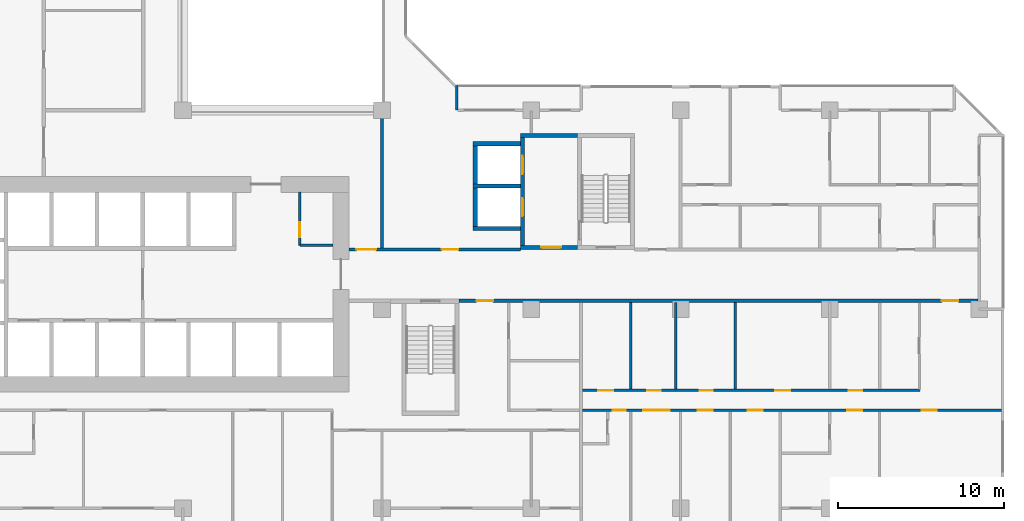
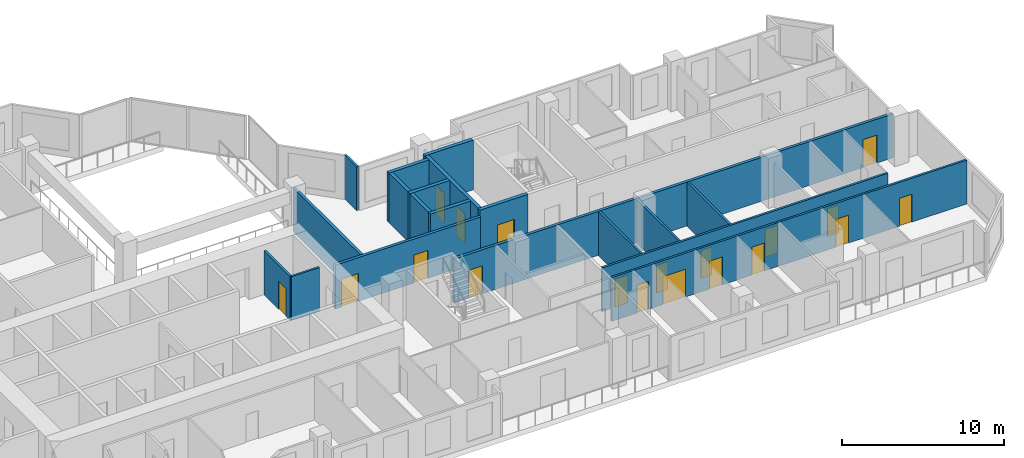
# One storey, part 7 of 15: 19 doors, 19 walls, 19 openings.
"""IFC4 building model written with IfcOpenShell, lengths in metres."""

from ifc_helpers import new_model, si_unit, direction, frame, frame_2d, origin, place, context, subcontext, project, spatial, rectangle, extrude, material, layer, layer_set, type_object, element, fill, save


model = new_model("IFC4")

# Units and contexts
model_context = context("Model", 3, precision=1e-05, world=origin(), true_north=direction((0.0, 1.0)))
body_context = subcontext(model_context, "Body", "Model", "MODEL_VIEW")
ifc_project = project(units=[si_unit("LENGTHUNIT", "METRE"), si_unit("AREAUNIT", "SQUARE_METRE"), si_unit("VOLUMEUNIT", "CUBIC_METRE"), si_unit("PLANEANGLEUNIT", "RADIAN"), si_unit("MASSUNIT", "GRAM", prefix="KILO")], contexts=[model_context])

# Site, building, storey
site_placement = place(None, origin())
site = spatial("IfcSite", under=ifc_project, at=site_placement, CompositionType="ELEMENT")
building_placement = place(site_placement, origin())
building = spatial("IfcBuilding", under=site, at=building_placement, Name="Chenar Terraces", CompositionType="ELEMENT")
storey_placement = place(building_placement, frame((0.0, 0.0, 136.89990234375)))
storey = spatial("IfcBuildingStorey", under=building, at=storey_placement, Name="L32", CompositionType="ELEMENT", Elevation=136.89990234375)

# Wall, opening, door
ifc_material_1 = material(Name="Gypsum board on steel studs", Category="steel")
ifc_layer_1 = layer(ifc_material_1, 0.14990234375)
ifc_layer_set_1 = layer_set([ifc_layer_1], Name="Gypsum board on steel studs")
wall_type_1 = type_object("IfcWallType", Name="Core partition 150 gypsum board", PredefinedType="PARTITIONING", material=ifc_layer_set_1)
wall_1_placement = place(storey_placement, frame((31.050048828125, 15.85009765625, 0.0), z_axis=(0.0, 0.0, 1.0), x_axis=(0.0, 1.0, 0.0)))
wall_1 = element("IfcWall", 1, at=wall_1_placement, inside=storey, type_object=wall_type_1, Name="Core partition CP1 vestibule room west wall", PredefinedType="PARTITIONING", context=body_context, shape_type="SweptSolid", body=[
    extrude(rectangle(XDim=3.199951171875, YDim=0.14990234375, at=frame_2d((1.60009765625, 0.0))), origin(), (0.0, 0.0, 1.0), 3.300048828125),
])
opening_1_placement = place(wall_1_placement, frame((0.5, 0.0, 0.0)))
opening_1 = element("IfcOpeningElement", 2, at=opening_1_placement, cuts=wall_1, Name="Opening DL32-C13", PredefinedType="OPENING", context=body_context, shape_type="SweptSolid", body=[
    extrude(rectangle(XDim=0.89990234375, YDim=2.10009765625, at=frame_2d((0.449951171875, 1.050048828125))), frame((0.0, 0.0849609375, 0.0), z_axis=(0.0, -1.0, 0.0), x_axis=(1.0, 0.0, 0.0)), (0.0, 0.0, 1.0), 0.169921875),
])
ifc_material_2 = material(Name="Steel-framed fire-resisting door leaf", Category="steel")
door_type_1 = type_object("IfcDoorType", Name="Riser fire door FD60 900 x 2100", OperationType="SINGLE_SWING_LEFT", PredefinedType="DOOR", material=ifc_material_2)
door_1_placement = place(opening_1_placement, frame((0.89990234375, 0.0, 0.0), z_axis=(0.0, 0.0, 1.0), x_axis=(-1.0, 0.0, 0.0)))
door_1 = element("IfcDoor", 3, at=door_1_placement, inside=storey, type_object=door_type_1, Name="Core room door DL32-C13", OperationType="SINGLE_SWING_RIGHT", OverallHeight=2.10009765625, OverallWidth=0.89990234375, PredefinedType="DOOR", context=body_context, shape_type="SweptSolid", body=[
    extrude(rectangle(XDim=0.89990234375, YDim=2.10009765625, at=frame_2d((0.449951171875, 1.050048828125))), frame((0.0, 0.02490234375, 0.0), z_axis=(0.0, -1.0, 0.0), x_axis=(1.0, 0.0, 0.0)), (0.0, 0.0, 1.0), 0.050048828125),
])
fill(opening_1, door_1)

# Wall
wall_2_placement = place(storey_placement, frame((31.050048828125, 15.85009765625, 0.0), z_axis=(0.0, 0.0, 1.0), x_axis=(1.0, 0.0, 0.0)))
element("IfcWall", 4, at=wall_2_placement, inside=storey, type_object=wall_type_1, Name="Core partition CP1 vestibule room south wall", PredefinedType="PARTITIONING", context=body_context, shape_type="SweptSolid", body=[
    extrude(rectangle(XDim=2.0, YDim=0.14990234375, at=frame_2d((1.0, 0.0))), origin(), (0.0, 0.0, 1.0), 3.300048828125),
])

# Wall, opening, door
ifc_material_3 = material(Name="Concrete C70/85", Category="concrete")
ifc_layer_2 = layer(ifc_material_3, 0.25)
ifc_layer_set_2 = layer_set([ifc_layer_2], Name="Concrete C70/85")
wall_type_2 = type_object("IfcWallType", Name="Core wall 250 Concrete C70/85", PredefinedType="SHEAR", material=ifc_layer_set_2)
wall_3_placement = place(storey_placement, frame((44.35009765625, 15.72509765625, 0.0), z_axis=(0.0, 0.0, 1.0), x_axis=(1.0, 0.0, 0.0)))
wall_3 = element("IfcWall", 5, at=wall_3_placement, inside=storey, type_object=wall_type_2, Name="Core wall F3_LS L32", PredefinedType="SHEAR", context=body_context, shape_type="SweptSolid", body=[
    extrude(rectangle(XDim=3.4248046875, YDim=0.25, at=frame_2d((1.71240234375, 0.0))), origin(), (0.0, 0.0, 1.0), 3.75),
])
opening_2_placement = place(wall_3_placement, frame((1.25, 0.0, 0.0)))
opening_2 = element("IfcOpeningElement", 6, at=opening_2_placement, cuts=wall_3, Name="Opening DL32-C10", PredefinedType="OPENING", context=body_context, shape_type="SweptSolid", body=[
    extrude(rectangle(XDim=1.199951171875, YDim=2.199951171875, at=frame_2d((0.60009765625, 1.10009765625))), frame((0.0, 0.135009765625, 0.0), z_axis=(0.0, -1.0, 0.0), x_axis=(1.0, 0.0, 0.0)), (0.0, 0.0, 1.0), 0.27001953125),
])
ifc_material_4 = material(Name="Steel-framed fire-resisting door leaf", Category="steel")
door_type_2 = type_object("IfcDoorType", Name="Lobby fire door FD60 1200 x 2200", OperationType="SINGLE_SWING_LEFT", PredefinedType="DOOR", material=ifc_material_4)
door_2_placement = place(opening_2_placement, origin())
door_2 = element("IfcDoor", 7, at=door_2_placement, inside=storey, type_object=door_type_2, Name="Core door DL32-C10", OperationType="SINGLE_SWING_RIGHT", OverallHeight=2.199951171875, OverallWidth=1.199951171875, PredefinedType="DOOR", context=body_context, shape_type="SweptSolid", body=[
    extrude(rectangle(XDim=1.199951171875, YDim=2.199951171875, at=frame_2d((0.60009765625, 1.10009765625))), frame((0.0, 0.02490234375, 0.0), z_axis=(0.0, -1.0, 0.0), x_axis=(1.0, 0.0, 0.0)), (0.0, 0.0, 1.0), 0.050048828125),
])
fill(opening_2, door_2)

# Wall
wall_4_placement = place(storey_placement, frame((44.35009765625, 22.47509765625, 0.0), z_axis=(0.0, 0.0, 1.0), x_axis=(1.0, 0.0, 0.0)))
element("IfcWall", 8, at=wall_4_placement, inside=storey, type_object=wall_type_2, Name="Core wall F3_LN L32", PredefinedType="SHEAR", context=body_context, shape_type="SweptSolid", body=[
    extrude(rectangle(XDim=3.4248046875, YDim=0.25, at=frame_2d((1.71240234375, 0.0))), origin(), (0.0, 0.0, 1.0), 3.75),
])

# Wall, openings, doors
wall_5_placement = place(storey_placement, frame((44.47509765625, 15.85009765625, 0.0), z_axis=(0.0, 0.0, 1.0), x_axis=(0.0, 1.0, 0.0)))
wall_5 = element("IfcWall", 9, at=wall_5_placement, inside=storey, type_object=wall_type_2, Name="Core wall F3_LW L32", PredefinedType="SHEAR", context=body_context, shape_type="SweptSolid", body=[
    extrude(rectangle(XDim=6.5, YDim=0.25, at=frame_2d((3.25, 0.0))), origin(), (0.0, 0.0, 1.0), 3.75),
])
opening_3_placement = place(wall_5_placement, frame((1.75, 0.0, 0.0)))
opening_3 = element("IfcOpeningElement", 10, at=opening_3_placement, cuts=wall_5, Name="Opening DL32-LD8", PredefinedType="OPENING", context=body_context, shape_type="SweptSolid", body=[
    extrude(rectangle(XDim=1.10009765625, YDim=2.199951171875, at=frame_2d((0.550048828125, 1.10009765625))), frame((0.0, 0.135009765625, 0.0), z_axis=(0.0, -1.0, 0.0), x_axis=(1.0, 0.0, 0.0)), (0.0, 0.0, 1.0), 0.27001953125),
])
opening_4_placement = place(wall_5_placement, frame((4.300048828125, 0.0, 0.0)))
opening_4 = element("IfcOpeningElement", 11, at=opening_4_placement, cuts=wall_5, Name="Opening DL32-LD9", PredefinedType="OPENING", context=body_context, shape_type="SweptSolid", body=[
    extrude(rectangle(XDim=1.10009765625, YDim=2.199951171875, at=frame_2d((0.550048828125, 1.10009765625))), frame((0.0, 0.135009765625, 0.0), z_axis=(0.0, -1.0, 0.0), x_axis=(1.0, 0.0, 0.0)), (0.0, 0.0, 1.0), 0.27001953125),
])
ifc_material_5 = material(Name="Stainless steel", Category="steel")
door_type_3 = type_object("IfcDoorType", Name="Lift landing door 1100 x 2200 sliding", OperationType="DOUBLE_DOOR_SLIDING", PredefinedType="DOOR", material=ifc_material_5)
door_3_placement = place(opening_3_placement, origin())
door_3 = element("IfcDoor", 12, at=door_3_placement, inside=storey, type_object=door_type_3, Name="Landing door F3", OperationType="DOUBLE_DOOR_SLIDING", OverallHeight=2.199951171875, OverallWidth=1.10009765625, PredefinedType="DOOR", context=body_context, shape_type="SweptSolid", body=[
    extrude(rectangle(XDim=1.10009765625, YDim=2.199951171875, at=frame_2d((0.550048828125, 1.10009765625))), frame((0.0, 0.02490234375, 0.0), z_axis=(0.0, -1.0, 0.0), x_axis=(1.0, 0.0, 0.0)), (0.0, 0.0, 1.0), 0.050048828125),
])
fill(opening_3, door_3)
door_4_placement = place(opening_4_placement, origin())
door_4 = element("IfcDoor", 13, at=door_4_placement, inside=storey, type_object=door_type_3, Name="Landing door F4", OperationType="DOUBLE_DOOR_SLIDING", OverallHeight=2.199951171875, OverallWidth=1.10009765625, PredefinedType="DOOR", context=body_context, shape_type="SweptSolid", body=[
    extrude(rectangle(XDim=1.10009765625, YDim=2.199951171875, at=frame_2d((0.550048828125, 1.10009765625))), frame((0.0, 0.02490234375, 0.0), z_axis=(0.0, -1.0, 0.0), x_axis=(1.0, 0.0, 0.0)), (0.0, 0.0, 1.0), 0.050048828125),
])
fill(opening_4, door_4)

# Walls
for number, where, z_axis, x_axis, name in (
    (14, (41.5, 16.875, 0.0), (0.0, 0.0, 1.0), (1.0, 0.0, 0.0), "Core wall F3_SS L32"),
    (15, (41.5, 19.425048828125, 0.0), (0.0, 0.0, 1.0), (1.0, 0.0, 0.0), "Core wall F3_SM L32"),
    (16, (41.5, 21.97509765625, 0.0), (0.0, 0.0, 1.0), (1.0, 0.0, 0.0), "Core wall F4_SN L32"),
):
    element("IfcWall", number, at=place(storey_placement, frame(where, z_axis=z_axis, x_axis=x_axis)), inside=storey, type_object=wall_type_2, Name=name, PredefinedType="SHEAR", context=body_context, shape_type="SweptSolid", body=[
        extrude(rectangle(XDim=2.85009765625, YDim=0.25, at=frame_2d((1.425048828125, 0.0))), origin(), (0.0, 0.0, 1.0), 3.75),
    ])
for number, where, z_axis, x_axis, name in (
    (17, (41.625, 17.0, 0.0), (0.0, 0.0, 1.0), (0.0, 1.0, 0.0), "Core wall F3_SW L32"),
    (18, (41.625, 19.550048828125, 0.0), (0.0, 0.0, 1.0), (0.0, 1.0, 0.0), "Core wall F4_SW L32"),
):
    element("IfcWall", number, at=place(storey_placement, frame(where, z_axis=z_axis, x_axis=x_axis)), inside=storey, type_object=wall_type_2, Name=name, PredefinedType="SHEAR", context=body_context, shape_type="SweptSolid", body=[
        extrude(rectangle(XDim=2.300048828125, YDim=0.25, at=frame_2d((1.14990234375, 0.0))), origin(), (0.0, 0.0, 1.0), 3.75),
    ])

# Wall, openings, doors
ifc_material_6 = material(Name="Gypsum board on steel studs with fire boards", Category="steel")
ifc_layer_3 = layer(ifc_material_6, 0.199951171875)
ifc_layer_set_3 = layer_set([ifc_layer_3], Name="Gypsum board on steel studs with fire boards")
wall_type_3 = type_object("IfcWallType", Name="Corridor wall 200", PredefinedType="PARTITIONING", material=ifc_layer_set_3)
wall_6_placement = place(storey_placement, frame((34.0, 15.60009765625, 0.0), z_axis=(0.0, 0.0, 1.0), x_axis=(1.0, 0.0, 0.0)))
wall_6 = element("IfcWall", 19, at=wall_6_placement, inside=storey, type_object=wall_type_3, Name="Partition L32-063", PredefinedType="PARTITIONING", context=body_context, shape_type="SweptSolid", body=[
    extrude(rectangle(XDim=10.35009765625, YDim=0.199951171875, at=frame_2d((5.175048828125, 0.0))), origin(), (0.0, 0.0, 1.0), 3.300048828125),
])
opening_5_placement = place(wall_6_placement, frame((5.60009765625, 0.0, 0.0)))
opening_5 = element("IfcOpeningElement", 20, at=opening_5_placement, cuts=wall_6, Name="Opening DL32-3", PredefinedType="OPENING", context=body_context, shape_type="SweptSolid", body=[
    extrude(rectangle(XDim=1.0, YDim=2.10009765625, at=frame_2d((0.5, 1.050048828125))), frame((0.0, 0.10986328125, 0.0), z_axis=(0.0, -1.0, 0.0), x_axis=(1.0, 0.0, 0.0)), (0.0, 0.0, 1.0), 0.219970703125),
])
opening_6_placement = place(wall_6_placement, frame((0.449951171875, 0.0, 0.0)))
opening_6 = element("IfcOpeningElement", 21, at=opening_6_placement, cuts=wall_6, Name="Opening DL32-50", PredefinedType="OPENING", context=body_context, shape_type="SweptSolid", body=[
    extrude(rectangle(XDim=1.199951171875, YDim=2.10009765625, at=frame_2d((0.60009765625, 1.050048828125))), frame((0.0, 0.10986328125, 0.0), z_axis=(0.0, -1.0, 0.0), x_axis=(1.0, 0.0, 0.0)), (0.0, 0.0, 1.0), 0.219970703125),
])
ifc_material_7 = material(Name="Steel-framed fire-resisting door leaf", Category="steel")
door_type_4 = type_object("IfcDoorType", Name="Fire door FD60 1000 x 2100", OperationType="SINGLE_SWING_LEFT", PredefinedType="DOOR", material=ifc_material_7)
door_5_placement = place(opening_5_placement, origin())
door_5 = element("IfcDoor", 22, at=door_5_placement, inside=storey, type_object=door_type_4, Name="Door DL32-3", OperationType="SINGLE_SWING_RIGHT", OverallHeight=2.10009765625, OverallWidth=1.0, PredefinedType="DOOR", context=body_context, shape_type="SweptSolid", body=[
    extrude(rectangle(XDim=1.0, YDim=2.10009765625, at=frame_2d((0.5, 1.050048828125))), frame((0.0, 0.02490234375, 0.0), z_axis=(0.0, -1.0, 0.0), x_axis=(1.0, 0.0, 0.0)), (0.0, 0.0, 1.0), 0.050048828125),
])
fill(opening_5, door_5)
ifc_material_8 = material(Name="Steel-framed fire-resisting door leaf", Category="steel")
door_type_5 = type_object("IfcDoorType", Name="Fire door FD60 1200 x 2100", OperationType="SINGLE_SWING_LEFT", PredefinedType="DOOR", material=ifc_material_8)
door_6_placement = place(opening_6_placement, origin())
door_6 = element("IfcDoor", 23, at=door_6_placement, inside=storey, type_object=door_type_5, Name="Door DL32-50", OperationType="SINGLE_SWING_RIGHT", OverallHeight=2.10009765625, OverallWidth=1.199951171875, PredefinedType="DOOR", context=body_context, shape_type="SweptSolid", body=[
    extrude(rectangle(XDim=1.199951171875, YDim=2.10009765625, at=frame_2d((0.60009765625, 1.050048828125))), frame((0.0, 0.02490234375, 0.0), z_axis=(0.0, -1.0, 0.0), x_axis=(1.0, 0.0, 0.0)), (0.0, 0.0, 1.0), 0.050048828125),
])
fill(opening_6, door_6)

# Wall
wall_7_placement = place(storey_placement, frame((36.0, 15.699951171875, 0.0), z_axis=(0.0, 0.0, 1.0), x_axis=(0.0, 1.0, 0.0)))
element("IfcWall", 24, at=wall_7_placement, inside=storey, type_object=wall_type_3, Name="Partition L32-065", PredefinedType="PARTITIONING", context=body_context, shape_type="SweptSolid", body=[
    extrude(rectangle(XDim=8.300048828125, YDim=0.199951171875, at=frame_2d((4.14990234375, 0.0))), origin(), (0.0, 0.0, 1.0), 3.300048828125),
])

# Wall, openings, doors
wall_8_placement = place(storey_placement, frame((40.64990234375, 12.5, 0.0), z_axis=(0.0, 0.0, 1.0), x_axis=(1.0, 0.0, 0.0)))
wall_8 = element("IfcWall", 25, at=wall_8_placement, inside=storey, type_object=wall_type_3, Name="Partition L32-066", PredefinedType="PARTITIONING", context=body_context, shape_type="SweptSolid", body=[
    extrude(rectangle(XDim=31.276123046875, YDim=0.199951171875, at=frame_2d((15.63818359375, 0.0))), origin(), (0.0, 0.0, 1.0), 3.300048828125),
])
opening_7_placement = place(wall_8_placement, frame((29.10009765625, 0.0, 0.0)))
opening_7 = element("IfcOpeningElement", 26, at=opening_7_placement, cuts=wall_8, Name="Opening DL32-18", PredefinedType="OPENING", context=body_context, shape_type="SweptSolid", body=[
    extrude(rectangle(XDim=1.0, YDim=2.10009765625, at=frame_2d((0.5, 1.050048828125))), frame((0.0, 0.10986328125, 0.0), z_axis=(0.0, -1.0, 0.0), x_axis=(1.0, 0.0, 0.0)), (0.0, 0.0, 1.0), 0.219970703125),
])
opening_8_placement = place(wall_8_placement, frame((1.050048828125, 0.0, 0.0)))
opening_8 = element("IfcOpeningElement", 27, at=opening_8_placement, cuts=wall_8, Name="Opening DL32-64", PredefinedType="OPENING", context=body_context, shape_type="SweptSolid", body=[
    extrude(rectangle(XDim=1.0, YDim=2.10009765625, at=frame_2d((0.5, 1.050048828125))), frame((0.0, 0.10986328125, 0.0), z_axis=(0.0, -1.0, 0.0), x_axis=(1.0, 0.0, 0.0)), (0.0, 0.0, 1.0), 0.219970703125),
])
ifc_material_9 = material(Name="Steel-framed fire-resisting door leaf", Category="steel")
door_type_6 = type_object("IfcDoorType", Name="Fire door FD30S 1000 x 2100", OperationType="SINGLE_SWING_LEFT", PredefinedType="DOOR", material=ifc_material_9)
door_7_placement = place(opening_7_placement, frame((1.0, 0.0, 0.0), z_axis=(0.0, 0.0, 1.0), x_axis=(-1.0, 0.0, 0.0)))
door_7 = element("IfcDoor", 28, at=door_7_placement, inside=storey, type_object=door_type_6, Name="Door DL32-18", OperationType="SINGLE_SWING_LEFT", OverallHeight=2.10009765625, OverallWidth=1.0, PredefinedType="DOOR", context=body_context, shape_type="SweptSolid", body=[
    extrude(rectangle(XDim=1.0, YDim=2.10009765625, at=frame_2d((0.5, 1.050048828125))), frame((0.0, 0.02490234375, 0.0), z_axis=(0.0, -1.0, 0.0), x_axis=(1.0, 0.0, 0.0)), (0.0, 0.0, 1.0), 0.050048828125),
])
fill(opening_7, door_7)
door_8_placement = place(opening_8_placement, origin())
door_8 = element("IfcDoor", 29, at=door_8_placement, inside=storey, type_object=door_type_6, Name="Door DL32-64", OperationType="SINGLE_SWING_RIGHT", OverallHeight=2.10009765625, OverallWidth=1.0, PredefinedType="DOOR", context=body_context, shape_type="SweptSolid", body=[
    extrude(rectangle(XDim=1.0, YDim=2.10009765625, at=frame_2d((0.5, 1.050048828125))), frame((0.0, 0.02490234375, 0.0), z_axis=(0.0, -1.0, 0.0), x_axis=(1.0, 0.0, 0.0)), (0.0, 0.0, 1.0), 0.050048828125),
])
fill(opening_8, door_8)

# Wall
ifc_material_10 = material(Name="Terracotta cladding on insulated backing", Category="masonry")
ifc_layer_4 = layer(ifc_material_10, 0.14990234375)
ifc_layer_set_4 = layer_set([ifc_layer_4], Name="Terracotta cladding on insulated backing")
wall_type_4 = type_object("IfcWallType", Name="Loggia return wall 150", PredefinedType="SOLIDWALL", material=ifc_layer_set_4)
wall_9_placement = place(storey_placement, frame((40.5, 25.5, 0.0), z_axis=(0.0, 0.0, 1.0), x_axis=(0.0, -1.0, 0.0)))
element("IfcWall", 30, at=wall_9_placement, inside=storey, type_object=wall_type_4, Name="Loggia return wall", PredefinedType="SOLIDWALL", context=body_context, shape_type="SweptSolid", body=[
    extrude(rectangle(XDim=1.5, YDim=0.14990234375, at=frame_2d((0.75, 0.0))), origin(), (0.0, 0.0, 1.0), 3.300048828125),
])

# Wall, openings, doors
ifc_material_11 = material(Name="Moisture-resistant gypsum board on steel studs", Category="steel")
ifc_layer_5 = layer(ifc_material_11, 0.14990234375)
ifc_layer_set_5 = layer_set([ifc_layer_5], Name="Moisture-resistant gypsum board on steel studs")
wall_type_5 = type_object("IfcWallType", Name="Wet-room partition 150", PredefinedType="PARTITIONING", material=ifc_layer_set_5)
wall_10_placement = place(storey_placement, frame((48.10009765625, 5.89990234375, 0.0), z_axis=(0.0, 0.0, 1.0), x_axis=(1.0, 0.0, 0.0)))
wall_10 = element("IfcWall", 31, at=wall_10_placement, inside=storey, type_object=wall_type_5, Name="Partition L32-074", PredefinedType="PARTITIONING", context=body_context, shape_type="SweptSolid", body=[
    extrude(rectangle(XDim=25.25, YDim=0.14990234375, at=frame_2d((12.625, 0.0))), origin(), (0.0, 0.0, 1.0), 3.300048828125),
])
opening_9_placement = place(wall_10_placement, frame((6.949951171875, 0.0, 0.0)))
opening_9 = element("IfcOpeningElement", 32, at=opening_9_placement, cuts=wall_10, Name="Opening DL32-14", PredefinedType="OPENING", context=body_context, shape_type="SweptSolid", body=[
    extrude(rectangle(XDim=0.89990234375, YDim=2.10009765625, at=frame_2d((0.449951171875, 1.050048828125))), frame((0.0, 0.0849609375, 0.0), z_axis=(0.0, -1.0, 0.0), x_axis=(1.0, 0.0, 0.0)), (0.0, 0.0, 1.0), 0.169921875),
])
opening_10_placement = place(wall_10_placement, frame((9.949951171875, 0.0, 0.0)))
opening_10 = element("IfcOpeningElement", 33, at=opening_10_placement, cuts=wall_10, Name="Opening DL32-15", PredefinedType="OPENING", context=body_context, shape_type="SweptSolid", body=[
    extrude(rectangle(XDim=0.89990234375, YDim=2.10009765625, at=frame_2d((0.449951171875, 1.050048828125))), frame((0.0, 0.0849609375, 0.0), z_axis=(0.0, -1.0, 0.0), x_axis=(1.0, 0.0, 0.0)), (0.0, 0.0, 1.0), 0.169921875),
])
opening_11_placement = place(wall_10_placement, frame((15.949951171875, 0.0, 0.0)))
opening_11 = element("IfcOpeningElement", 34, at=opening_11_placement, cuts=wall_10, Name="Opening DL32-16", PredefinedType="OPENING", context=body_context, shape_type="SweptSolid", body=[
    extrude(rectangle(XDim=0.89990234375, YDim=2.10009765625, at=frame_2d((0.449951171875, 1.050048828125))), frame((0.0, 0.0849609375, 0.0), z_axis=(0.0, -1.0, 0.0), x_axis=(1.0, 0.0, 0.0)), (0.0, 0.0, 1.0), 0.169921875),
])
opening_12_placement = place(wall_10_placement, frame((20.449951171875, 0.0, 0.0)))
opening_12 = element("IfcOpeningElement", 35, at=opening_12_placement, cuts=wall_10, Name="Opening DL32-21", PredefinedType="OPENING", context=body_context, shape_type="SweptSolid", body=[
    extrude(rectangle(XDim=0.89990234375, YDim=2.10009765625, at=frame_2d((0.449951171875, 1.050048828125))), frame((0.0, 0.0849609375, 0.0), z_axis=(0.0, -1.0, 0.0), x_axis=(1.0, 0.0, 0.0)), (0.0, 0.0, 1.0), 0.169921875),
])
opening_13_placement = place(wall_10_placement, frame((1.800048828125, 0.0, 0.0)))
opening_13 = element("IfcOpeningElement", 36, at=opening_13_placement, cuts=wall_10, Name="Opening DL32-22", PredefinedType="OPENING", context=body_context, shape_type="SweptSolid", body=[
    extrude(rectangle(XDim=0.800048828125, YDim=2.10009765625, at=frame_2d((0.39990234375, 1.050048828125))), frame((0.0, 0.0849609375, 0.0), z_axis=(0.0, -1.0, 0.0), x_axis=(1.0, 0.0, 0.0)), (0.0, 0.0, 1.0), 0.169921875),
])
opening_14_placement = place(wall_10_placement, frame((3.64990234375, 0.0, 0.0)))
opening_14 = element("IfcOpeningElement", 37, at=opening_14_placement, cuts=wall_10, Name="Opening DL32-24", PredefinedType="OPENING", context=body_context, shape_type="SweptSolid", body=[
    extrude(rectangle(XDim=1.60009765625, YDim=2.10009765625, at=frame_2d((0.800048828125, 1.050048828125))), frame((0.0, 0.0849609375, 0.0), z_axis=(0.0, -1.0, 0.0), x_axis=(1.0, 0.0, 0.0)), (0.0, 0.0, 1.0), 0.169921875),
])
ifc_material_12 = material(Name="Veneered timber door leaf", Category="wood")
door_type_7 = type_object("IfcDoorType", Name="Door 800 x 2100", OperationType="SINGLE_SWING_LEFT", PredefinedType="DOOR", material=ifc_material_12)
door_9_placement = place(opening_13_placement, frame((0.800048828125, 0.0, 0.0), z_axis=(0.0, 0.0, 1.0), x_axis=(-1.0, 0.0, 0.0)))
door_9 = element("IfcDoor", 38, at=door_9_placement, inside=storey, type_object=door_type_7, Name="Door DL32-22", OperationType="SINGLE_SWING_LEFT", OverallHeight=2.10009765625, OverallWidth=0.800048828125, PredefinedType="DOOR", context=body_context, shape_type="SweptSolid", body=[
    extrude(rectangle(XDim=0.800048828125, YDim=2.10009765625, at=frame_2d((0.39990234375, 1.050048828125))), frame((0.0, 0.02490234375, 0.0), z_axis=(0.0, -1.0, 0.0), x_axis=(1.0, 0.0, 0.0)), (0.0, 0.0, 1.0), 0.050048828125),
])
fill(opening_13, door_9)
ifc_material_13 = material(Name="Veneered timber door leaf", Category="wood")
door_type_8 = type_object("IfcDoorType", Name="Door 900 x 2100", OperationType="SINGLE_SWING_LEFT", PredefinedType="DOOR", material=ifc_material_13)
door_10_placement = place(opening_9_placement, frame((0.89990234375, 0.0, 0.0), z_axis=(0.0, 0.0, 1.0), x_axis=(-1.0, 0.0, 0.0)))
door_10 = element("IfcDoor", 39, at=door_10_placement, inside=storey, type_object=door_type_8, Name="Door DL32-14", OperationType="SINGLE_SWING_LEFT", OverallHeight=2.10009765625, OverallWidth=0.89990234375, PredefinedType="DOOR", context=body_context, shape_type="SweptSolid", body=[
    extrude(rectangle(XDim=0.89990234375, YDim=2.10009765625, at=frame_2d((0.449951171875, 1.050048828125))), frame((0.0, 0.02490234375, 0.0), z_axis=(0.0, -1.0, 0.0), x_axis=(1.0, 0.0, 0.0)), (0.0, 0.0, 1.0), 0.050048828125),
])
fill(opening_9, door_10)
door_11_placement = place(opening_10_placement, frame((0.89990234375, 0.0, 0.0), z_axis=(0.0, 0.0, 1.0), x_axis=(-1.0, 0.0, 0.0)))
door_11 = element("IfcDoor", 40, at=door_11_placement, inside=storey, type_object=door_type_8, Name="Door DL32-15", OperationType="SINGLE_SWING_LEFT", OverallHeight=2.10009765625, OverallWidth=0.89990234375, PredefinedType="DOOR", context=body_context, shape_type="SweptSolid", body=[
    extrude(rectangle(XDim=0.89990234375, YDim=2.10009765625, at=frame_2d((0.449951171875, 1.050048828125))), frame((0.0, 0.02490234375, 0.0), z_axis=(0.0, -1.0, 0.0), x_axis=(1.0, 0.0, 0.0)), (0.0, 0.0, 1.0), 0.050048828125),
])
fill(opening_10, door_11)
door_12_placement = place(opening_11_placement, frame((0.89990234375, 0.0, 0.0), z_axis=(0.0, 0.0, 1.0), x_axis=(-1.0, 0.0, 0.0)))
door_12 = element("IfcDoor", 41, at=door_12_placement, inside=storey, type_object=door_type_8, Name="Door DL32-16", OperationType="SINGLE_SWING_LEFT", OverallHeight=2.10009765625, OverallWidth=0.89990234375, PredefinedType="DOOR", context=body_context, shape_type="SweptSolid", body=[
    extrude(rectangle(XDim=0.89990234375, YDim=2.10009765625, at=frame_2d((0.449951171875, 1.050048828125))), frame((0.0, 0.02490234375, 0.0), z_axis=(0.0, -1.0, 0.0), x_axis=(1.0, 0.0, 0.0)), (0.0, 0.0, 1.0), 0.050048828125),
])
fill(opening_11, door_12)
door_13_placement = place(opening_12_placement, frame((0.89990234375, 0.0, 0.0), z_axis=(0.0, 0.0, 1.0), x_axis=(-1.0, 0.0, 0.0)))
door_13 = element("IfcDoor", 42, at=door_13_placement, inside=storey, type_object=door_type_8, Name="Door DL32-21", OperationType="SINGLE_SWING_LEFT", OverallHeight=2.10009765625, OverallWidth=0.89990234375, PredefinedType="DOOR", context=body_context, shape_type="SweptSolid", body=[
    extrude(rectangle(XDim=0.89990234375, YDim=2.10009765625, at=frame_2d((0.449951171875, 1.050048828125))), frame((0.0, 0.02490234375, 0.0), z_axis=(0.0, -1.0, 0.0), x_axis=(1.0, 0.0, 0.0)), (0.0, 0.0, 1.0), 0.050048828125),
])
fill(opening_12, door_13)
ifc_material_14 = material(Name="Veneered timber door leaf", Category="wood")
door_type_9 = type_object("IfcDoorType", Name="Double door 1600 x 2100", OperationType="DOUBLE_DOOR_SINGLE_SWING", PredefinedType="DOOR", material=ifc_material_14)
door_14_placement = place(opening_14_placement, frame((1.60009765625, 0.0, 0.0), z_axis=(0.0, 0.0, 1.0), x_axis=(-1.0, 0.0, 0.0)))
door_14 = element("IfcDoor", 43, at=door_14_placement, inside=storey, type_object=door_type_9, Name="Door DL32-24", OperationType="DOUBLE_DOOR_SINGLE_SWING", OverallHeight=2.10009765625, OverallWidth=1.60009765625, PredefinedType="DOOR", context=body_context, shape_type="SweptSolid", body=[
    extrude(rectangle(XDim=1.60009765625, YDim=2.10009765625, at=frame_2d((0.800048828125, 1.050048828125))), frame((0.0, 0.02490234375, 0.0), z_axis=(0.0, -1.0, 0.0), x_axis=(1.0, 0.0, 0.0)), (0.0, 0.0, 1.0), 0.050048828125),
])
fill(opening_14, door_14)

wall_11_placement = place(storey_placement, frame((48.10009765625, 7.10009765625, 0.0), z_axis=(0.0, 0.0, 1.0), x_axis=(1.0, 0.0, 0.0)))
wall_11 = element("IfcWall", 44, at=wall_11_placement, inside=storey, type_object=wall_type_5, Name="Partition L32-075", PredefinedType="PARTITIONING", context=body_context, shape_type="SweptSolid", body=[
    extrude(rectangle(XDim=20.349853515625, YDim=0.14990234375, at=frame_2d((10.1748046875, 0.0))), origin(), (0.0, 0.0, 1.0), 3.300048828125),
])
opening_15_placement = place(wall_11_placement, frame((16.050048828125, 0.0, 0.0)))
opening_15 = element("IfcOpeningElement", 45, at=opening_15_placement, cuts=wall_11, Name="Opening DL32-13", PredefinedType="OPENING", context=body_context, shape_type="SweptSolid", body=[
    extrude(rectangle(XDim=0.800048828125, YDim=2.10009765625, at=frame_2d((0.39990234375, 1.050048828125))), frame((0.0, 0.0849609375, 0.0), z_axis=(0.0, -1.0, 0.0), x_axis=(1.0, 0.0, 0.0)), (0.0, 0.0, 1.0), 0.169921875),
])
opening_16_placement = place(wall_11_placement, frame((11.60009765625, 0.0, 0.0)))
opening_16 = element("IfcOpeningElement", 46, at=opening_16_placement, cuts=wall_11, Name="Opening DL32-19", PredefinedType="OPENING", context=body_context, shape_type="SweptSolid", body=[
    extrude(rectangle(XDim=0.89990234375, YDim=2.10009765625, at=frame_2d((0.449951171875, 1.050048828125))), frame((0.0, 0.0849609375, 0.0), z_axis=(0.0, -1.0, 0.0), x_axis=(1.0, 0.0, 0.0)), (0.0, 0.0, 1.0), 0.169921875),
])
opening_17_placement = place(wall_11_placement, frame((3.89990234375, 0.0, 0.0)))
opening_17 = element("IfcOpeningElement", 47, at=opening_17_placement, cuts=wall_11, Name="Opening DL32-20", PredefinedType="OPENING", context=body_context, shape_type="SweptSolid", body=[
    extrude(rectangle(XDim=0.800048828125, YDim=2.10009765625, at=frame_2d((0.39990234375, 1.050048828125))), frame((0.0, 0.0849609375, 0.0), z_axis=(0.0, -1.0, 0.0), x_axis=(1.0, 0.0, 0.0)), (0.0, 0.0, 1.0), 0.169921875),
])
opening_18_placement = place(wall_11_placement, frame((0.949951171875, 0.0, 0.0)))
opening_18 = element("IfcOpeningElement", 48, at=opening_18_placement, cuts=wall_11, Name="Opening DL32-25", PredefinedType="OPENING", context=body_context, shape_type="SweptSolid", body=[
    extrude(rectangle(XDim=0.89990234375, YDim=2.10009765625, at=frame_2d((0.449951171875, 1.050048828125))), frame((0.0, 0.0849609375, 0.0), z_axis=(0.0, -1.0, 0.0), x_axis=(1.0, 0.0, 0.0)), (0.0, 0.0, 1.0), 0.169921875),
])
opening_19_placement = place(wall_11_placement, frame((7.050048828125, 0.0, 0.0)))
opening_19 = element("IfcOpeningElement", 49, at=opening_19_placement, cuts=wall_11, Name="Opening DL32-27", PredefinedType="OPENING", context=body_context, shape_type="SweptSolid", body=[
    extrude(rectangle(XDim=0.800048828125, YDim=2.10009765625, at=frame_2d((0.39990234375, 1.050048828125))), frame((0.0, 0.0849609375, 0.0), z_axis=(0.0, -1.0, 0.0), x_axis=(1.0, 0.0, 0.0)), (0.0, 0.0, 1.0), 0.169921875),
])
door_15_placement = place(opening_15_placement, origin())
door_15 = element("IfcDoor", 50, at=door_15_placement, inside=storey, type_object=door_type_7, Name="Door DL32-13", OperationType="SINGLE_SWING_RIGHT", OverallHeight=2.10009765625, OverallWidth=0.800048828125, PredefinedType="DOOR", context=body_context, shape_type="SweptSolid", body=[
    extrude(rectangle(XDim=0.800048828125, YDim=2.10009765625, at=frame_2d((0.39990234375, 1.050048828125))), frame((0.0, 0.02490234375, 0.0), z_axis=(0.0, -1.0, 0.0), x_axis=(1.0, 0.0, 0.0)), (0.0, 0.0, 1.0), 0.050048828125),
])
fill(opening_15, door_15)
door_16_placement = place(opening_17_placement, origin())
door_16 = element("IfcDoor", 51, at=door_16_placement, inside=storey, type_object=door_type_7, Name="Door DL32-20", OperationType="SINGLE_SWING_RIGHT", OverallHeight=2.10009765625, OverallWidth=0.800048828125, PredefinedType="DOOR", context=body_context, shape_type="SweptSolid", body=[
    extrude(rectangle(XDim=0.800048828125, YDim=2.10009765625, at=frame_2d((0.39990234375, 1.050048828125))), frame((0.0, 0.02490234375, 0.0), z_axis=(0.0, -1.0, 0.0), x_axis=(1.0, 0.0, 0.0)), (0.0, 0.0, 1.0), 0.050048828125),
])
fill(opening_17, door_16)
door_17_placement = place(opening_19_placement, origin())
door_17 = element("IfcDoor", 52, at=door_17_placement, inside=storey, type_object=door_type_7, Name="Door DL32-27", OperationType="SINGLE_SWING_RIGHT", OverallHeight=2.10009765625, OverallWidth=0.800048828125, PredefinedType="DOOR", context=body_context, shape_type="SweptSolid", body=[
    extrude(rectangle(XDim=0.800048828125, YDim=2.10009765625, at=frame_2d((0.39990234375, 1.050048828125))), frame((0.0, 0.02490234375, 0.0), z_axis=(0.0, -1.0, 0.0), x_axis=(1.0, 0.0, 0.0)), (0.0, 0.0, 1.0), 0.050048828125),
])
fill(opening_19, door_17)
door_18_placement = place(opening_16_placement, origin())
door_18 = element("IfcDoor", 53, at=door_18_placement, inside=storey, type_object=door_type_8, Name="Door DL32-19", OperationType="SINGLE_SWING_RIGHT", OverallHeight=2.10009765625, OverallWidth=0.89990234375, PredefinedType="DOOR", context=body_context, shape_type="SweptSolid", body=[
    extrude(rectangle(XDim=0.89990234375, YDim=2.10009765625, at=frame_2d((0.449951171875, 1.050048828125))), frame((0.0, 0.02490234375, 0.0), z_axis=(0.0, -1.0, 0.0), x_axis=(1.0, 0.0, 0.0)), (0.0, 0.0, 1.0), 0.050048828125),
])
fill(opening_16, door_18)
door_19_placement = place(opening_18_placement, origin())
door_19 = element("IfcDoor", 54, at=door_19_placement, inside=storey, type_object=door_type_8, Name="Door DL32-25", OperationType="SINGLE_SWING_RIGHT", OverallHeight=2.10009765625, OverallWidth=0.89990234375, PredefinedType="DOOR", context=body_context, shape_type="SweptSolid", body=[
    extrude(rectangle(XDim=0.89990234375, YDim=2.10009765625, at=frame_2d((0.449951171875, 1.050048828125))), frame((0.0, 0.02490234375, 0.0), z_axis=(0.0, -1.0, 0.0), x_axis=(1.0, 0.0, 0.0)), (0.0, 0.0, 1.0), 0.050048828125),
])
fill(opening_18, door_19)

# Walls
for number, where, z_axis, x_axis, name in (
    (55, (51.0, 7.175048828125, 0.0), (0.0, 0.0, 1.0), (0.0, 1.0, 0.0), "Partition L32-078"),
    (56, (53.699951171875, 7.175048828125, 0.0), (0.0, 0.0, 1.0), (0.0, 1.0, 0.0), "Partition L32-080"),
    (57, (57.300048828125, 7.175048828125, 0.0), (0.0, 0.0, 1.0), (0.0, 1.0, 0.0), "Partition L32-087"),
):
    element("IfcWall", number, at=place(storey_placement, frame(where, z_axis=z_axis, x_axis=x_axis)), inside=storey, type_object=wall_type_5, Name=name, PredefinedType="PARTITIONING", context=body_context, shape_type="SweptSolid", body=[
        extrude(rectangle(XDim=5.224853515625, YDim=0.14990234375, at=frame_2d((2.6123046875, 0.0))), origin(), (0.0, 0.0, 1.0), 3.300048828125),
    ])

save(model, "model.ifc")
